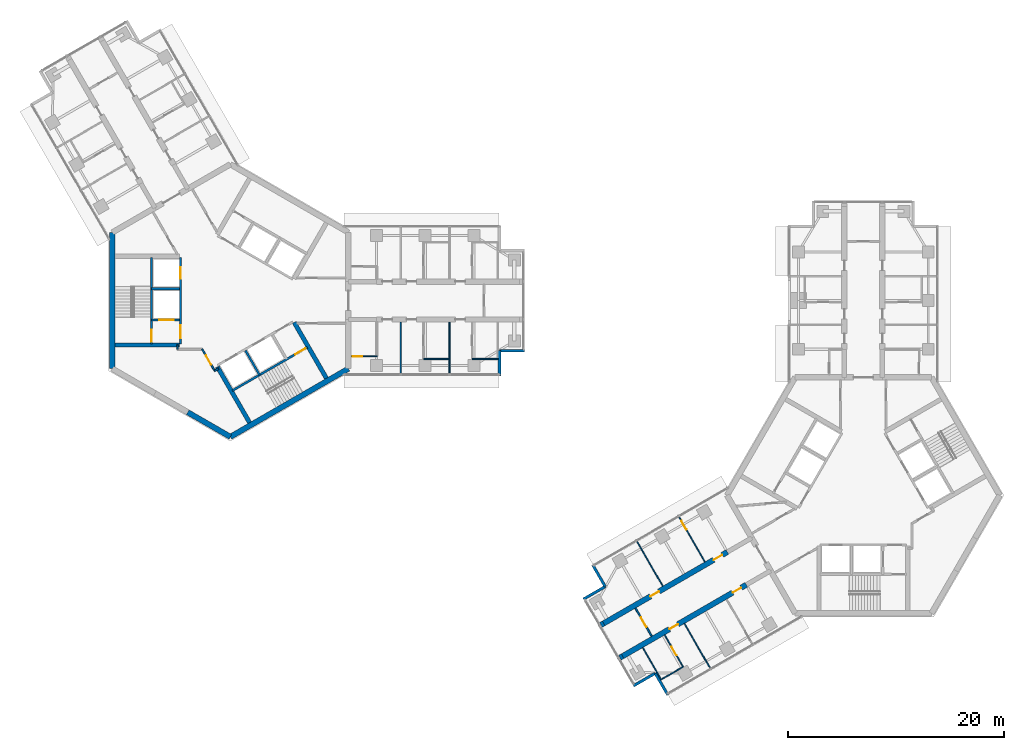
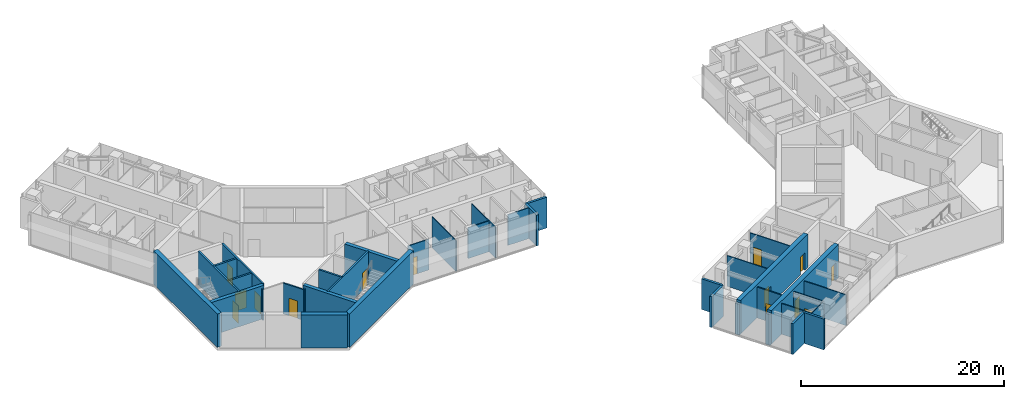
# One storey, part 11 of 17: 37 walls, 14 doors, 14 openings.
"""IFC4 building model written with IfcOpenShell, lengths in metres."""

from ifc_helpers import new_model, si_unit, direction, frame, frame_2d, origin, place, context, subcontext, project, spatial, rectangle, extrude, material, layer, layer_set, type_object, element, fill, save


model = new_model("IFC4")

# Units and contexts
model_context = context("Model", 3, precision=1e-05, world=origin(), true_north=direction((0.0, 1.0)))
body_context = subcontext(model_context, "Body", "Model", "MODEL_VIEW")
ifc_project = project(units=[si_unit("LENGTHUNIT", "METRE"), si_unit("AREAUNIT", "SQUARE_METRE"), si_unit("VOLUMEUNIT", "CUBIC_METRE"), si_unit("PLANEANGLEUNIT", "RADIAN"), si_unit("MASSUNIT", "GRAM", prefix="KILO")], contexts=[model_context])

# Site, building, storey
site_placement = place(None, origin())
site = spatial("IfcSite", under=ifc_project, at=site_placement, CompositionType="ELEMENT")
building_placement = place(site_placement, origin())
building = spatial("IfcBuilding", under=site, at=building_placement, Name="Upepo Twin Towers", CompositionType="ELEMENT")
storey_placement = place(building_placement, frame((0.0, 0.0, 234.5)))
storey = spatial("IfcBuildingStorey", under=building, at=storey_placement, Name="L57", CompositionType="ELEMENT", Elevation=234.5)

# Walls
ifc_material_1 = material(Name="Dense concrete blockwork", Category="masonry")
ifc_layer_1 = layer(ifc_material_1, 0.5)
ifc_layer_set_1 = layer_set([ifc_layer_1], Name="Buttress closer 500, blockwork with fire-stopping to the curtain wall")
wall_type_1 = type_object("IfcWallType", Name="Buttress closer 500, blockwork with fire-stopping to the curtain wall", PredefinedType="PARTITIONING", material=ifc_layer_set_1)
for number, where, z_axis, x_axis, name in (
    (1, (36.252197265625, -32.865478515625, 0.0), (0.0, 0.0, 1.0), (-0.86598763626, -0.500065409566, 0.0), "T2 L57 wing B buttress closer L"),
    (2, (34.502197265625, -29.83447265625, 0.0), (0.0, 0.0, 1.0), (-0.86598763626, -0.500065409566, 0.0), "T2 L57 wing B buttress closer R"),
):
    element("IfcWall", number, at=place(storey_placement, frame(where, z_axis=z_axis, x_axis=x_axis)), inside=storey, type_object=wall_type_1, Name=name, PredefinedType="PARTITIONING", context=body_context, shape_type="SweptSolid", body=[
        extrude(rectangle(XDim=0.28759765625, YDim=0.5, at=frame_2d((0.143798828125, 0.0))), origin(), (0.0, 0.0, 1.0), 3.699951171875),
    ])

# Wall, openings, doors
ifc_material_2 = material(Name="Concrete C60/75", Category="concrete")
ifc_layer_2 = layer(ifc_material_2, 0.5)
ifc_layer_set_2 = layer_set([ifc_layer_2], Name="Concrete C60/75")
wall_type_2 = type_object("IfcWallType", Name="Buttress wall 500 RC", PredefinedType="SHEAR", material=ifc_layer_set_2)
wall_1_placement = place(storey_placement, frame((47.68359375, -26.265625, 0.0), z_axis=(0.0, 0.0, 1.0), x_axis=(-0.866027579429, -0.499996231654, 0.0)))
wall_1 = element("IfcWall", 3, at=wall_1_placement, inside=storey, type_object=wall_type_2, Name="T2 wing B buttress wall L part 2", PredefinedType="SHEAR", context=body_context, shape_type="SweptSolid", body=[
    extrude(rectangle(XDim=13.19970703125, YDim=0.5, at=frame_2d((6.599853515625, 0.0))), origin(), (0.0, 0.0, 1.0), 4.0),
])
opening_1_placement = place(wall_1_placement, frame((0.550048828125, 0.0, 0.0)))
opening_1 = element("IfcOpeningElement", 4, at=opening_1_placement, cuts=wall_1, Name="Opening D14", PredefinedType="OPENING", context=body_context, shape_type="SweptSolid", body=[
    extrude(rectangle(XDim=0.89990234375, YDim=2.10009765625, at=frame_2d((0.449951171875, 1.050048828125))), frame((0.0, 0.260009765625, 0.0), z_axis=(0.0, -1.0, 0.0), x_axis=(1.0, 0.0, 0.0)), (0.0, 0.0, 1.0), 0.52001953125),
])
opening_2_placement = place(wall_1_placement, frame((7.300048828125, 0.0, 0.0)))
opening_2 = element("IfcOpeningElement", 5, at=opening_2_placement, cuts=wall_1, Name="Opening D14", PredefinedType="OPENING", context=body_context, shape_type="SweptSolid", body=[
    extrude(rectangle(XDim=0.89990234375, YDim=2.10009765625, at=frame_2d((0.449951171875, 1.050048828125))), frame((0.0, 0.260009765625, 0.0), z_axis=(0.0, -1.0, 0.0), x_axis=(1.0, 0.0, 0.0)), (0.0, 0.0, 1.0), 0.52001953125),
])
ifc_material_3 = material(Name="Timber doorset", Category="wood")
door_type_1 = type_object("IfcDoorType", Name="Office door 900 FD30", OperationType="SINGLE_SWING_LEFT", PredefinedType="DOOR", material=ifc_material_3)
door_1_placement = place(opening_1_placement, origin())
door_1 = element("IfcDoor", 6, at=door_1_placement, inside=storey, type_object=door_type_1, Name="T2 L57 staff office door", OperationType="SINGLE_SWING_LEFT", OverallHeight=2.10009765625, OverallWidth=0.89990234375, PredefinedType="DOOR", context=body_context, shape_type="SweptSolid", body=[
    extrude(rectangle(XDim=0.89990234375, YDim=2.10009765625, at=frame_2d((0.449951171875, 1.050048828125))), frame((0.0, 0.02490234375, 0.0), z_axis=(0.0, -1.0, 0.0), x_axis=(1.0, 0.0, 0.0)), (0.0, 0.0, 1.0), 0.050048828125),
])
fill(opening_1, door_1)
door_2_placement = place(opening_2_placement, origin())
door_2 = element("IfcDoor", 7, at=door_2_placement, inside=storey, type_object=door_type_1, Name="T2 L57 staff office door", OperationType="SINGLE_SWING_RIGHT", OverallHeight=2.10009765625, OverallWidth=0.89990234375, PredefinedType="DOOR", context=body_context, shape_type="SweptSolid", body=[
    extrude(rectangle(XDim=0.89990234375, YDim=2.10009765625, at=frame_2d((0.449951171875, 1.050048828125))), frame((0.0, 0.02490234375, 0.0), z_axis=(0.0, -1.0, 0.0), x_axis=(1.0, 0.0, 0.0)), (0.0, 0.0, 1.0), 0.050048828125),
])
fill(opening_2, door_2)

wall_2_placement = place(storey_placement, frame((45.93359375, -23.234375, 0.0), z_axis=(0.0, 0.0, 1.0), x_axis=(-0.866019570528, -0.500010103361, 0.0)))
wall_2 = element("IfcWall", 8, at=wall_2_placement, inside=storey, type_object=wall_type_2, Name="T2 wing B buttress wall R part 2", PredefinedType="SHEAR", context=body_context, shape_type="SweptSolid", body=[
    extrude(rectangle(XDim=13.199951171875, YDim=0.5, at=frame_2d((6.60009765625, 0.0))), origin(), (0.0, 0.0, 1.0), 4.0),
])
opening_3_placement = place(wall_2_placement, frame((0.550048828125, 0.0, 0.0)))
opening_3 = element("IfcOpeningElement", 9, at=opening_3_placement, cuts=wall_2, Name="Opening D14", PredefinedType="OPENING", context=body_context, shape_type="SweptSolid", body=[
    extrude(rectangle(XDim=0.89990234375, YDim=2.10009765625, at=frame_2d((0.449951171875, 1.050048828125))), frame((0.0, 0.260009765625, 0.0), z_axis=(0.0, -1.0, 0.0), x_axis=(1.0, 0.0, 0.0)), (0.0, 0.0, 1.0), 0.52001953125),
])
opening_4_placement = place(wall_2_placement, frame((7.300048828125, 0.0, 0.0)))
opening_4 = element("IfcOpeningElement", 10, at=opening_4_placement, cuts=wall_2, Name="Opening D14", PredefinedType="OPENING", context=body_context, shape_type="SweptSolid", body=[
    extrude(rectangle(XDim=0.89990234375, YDim=2.10009765625, at=frame_2d((0.449951171875, 1.050048828125))), frame((0.0, 0.260009765625, 0.0), z_axis=(0.0, -1.0, 0.0), x_axis=(1.0, 0.0, 0.0)), (0.0, 0.0, 1.0), 0.52001953125),
])
door_3_placement = place(opening_3_placement, origin())
door_3 = element("IfcDoor", 11, at=door_3_placement, inside=storey, type_object=door_type_1, Name="T2 L57 postgraduate office door", OperationType="SINGLE_SWING_LEFT", OverallHeight=2.10009765625, OverallWidth=0.89990234375, PredefinedType="DOOR", context=body_context, shape_type="SweptSolid", body=[
    extrude(rectangle(XDim=0.89990234375, YDim=2.10009765625, at=frame_2d((0.449951171875, 1.050048828125))), frame((0.0, 0.02490234375, 0.0), z_axis=(0.0, -1.0, 0.0), x_axis=(1.0, 0.0, 0.0)), (0.0, 0.0, 1.0), 0.050048828125),
])
fill(opening_3, door_3)
door_4_placement = place(opening_4_placement, origin())
door_4 = element("IfcDoor", 12, at=door_4_placement, inside=storey, type_object=door_type_1, Name="T2 L57 meeting room door", OperationType="SINGLE_SWING_RIGHT", OverallHeight=2.10009765625, OverallWidth=0.89990234375, PredefinedType="DOOR", context=body_context, shape_type="SweptSolid", body=[
    extrude(rectangle(XDim=0.89990234375, YDim=2.10009765625, at=frame_2d((0.449951171875, 1.050048828125))), frame((0.0, 0.02490234375, 0.0), z_axis=(0.0, -1.0, 0.0), x_axis=(1.0, 0.0, 0.0)), (0.0, 0.0, 1.0), 0.050048828125),
])
fill(opening_4, door_4)

# Walls
ifc_material_4 = material(Name="Concrete C60/75", Category="concrete")
ifc_layer_3 = layer(ifc_material_4, 0.5)
ifc_layer_set_3 = layer_set([ifc_layer_3], Name="Concrete C60/75")
wall_type_3 = type_object("IfcWallType", Name="Core wall 500 RC", PredefinedType="SHEAR", material=ifc_layer_set_3)
wall_3_placement = place(storey_placement, frame((-10.908447265625, 6.2978515625, 0.0), z_axis=(0.0, 0.0, 1.0), x_axis=(0.0, -1.0, 0.0)))
element("IfcWall", 13, at=wall_3_placement, inside=storey, type_object=wall_type_3, Name="T1 core wall 180", PredefinedType="SHEAR", context=body_context, shape_type="SweptSolid", body=[
    extrude(rectangle(XDim=12.595703125, YDim=0.5, at=frame_2d((6.2978515625, 0.0))), origin(), (0.0, 0.0, 1.0), 4.0),
])
wall_4_placement = place(storey_placement, frame((-3.938720703125, -10.32177734375, 0.0), z_axis=(0.0, 0.0, 1.0), x_axis=(0.866011268655, -0.500024481964, 0.0)))
element("IfcWall", 14, at=wall_4_placement, inside=storey, type_object=wall_type_3, Name="T1 core wall 240 L", PredefinedType="SHEAR", context=body_context, shape_type="SweptSolid", body=[
    extrude(rectangle(XDim=4.548095703125, YDim=0.5, at=frame_2d((2.27392578125, 0.0))), origin(), (0.0, 0.0, 1.0), 4.0),
])
wall_5_placement = place(storey_placement, frame((0.0, -12.595947265625, 0.0), z_axis=(0.0, 0.0, 1.0), x_axis=(0.866021940709, 0.500005998175, 0.0)))
element("IfcWall", 15, at=wall_5_placement, inside=storey, type_object=wall_type_3, Name="T1 core wall 300", PredefinedType="SHEAR", context=body_context, shape_type="SweptSolid", body=[
    extrude(rectangle(XDim=12.595947265625, YDim=0.5, at=frame_2d((6.2978515625, 0.0))), origin(), (0.0, 0.0, 1.0), 4.0),
])
ifc_material_5 = material(Name="Blockwork with anodised aluminium cladding", Category="masonry")
ifc_layer_4 = layer(ifc_material_5, 0.25)
ifc_layer_set_4 = layer_set([ifc_layer_4], Name="Notch cladding wall 250, pale metal")
wall_type_4 = type_object("IfcWallType", Name="Notch cladding wall 250, pale metal", PredefinedType="STANDARD", material=ifc_layer_set_4)
for number, where, z_axis, x_axis, name in (
    (16, (24.875, -6.949951171875, 0.0), (0.0, 0.0, 1.0), (0.0, 1.0, 0.0), "T1 L57 wing A notch wall R1"),
    (17, (24.875, -4.625, 0.0), (0.0, 0.0, 1.0), (1.0, 0.0, 0.0), "T1 L57 wing A notch wall R2"),
    (18, (40.4326171875, -36.456298828125, 0.0), (0.0, 0.0, 1.0), (-0.500046648681, 0.865998469481, 0.0), "T2 L57 wing B notch wall L1"),
    (19, (39.27001953125, -34.44287109375, 0.0), (0.0, 0.0, 1.0), (-0.865998469481, -0.500046648681, 0.0), "T2 L57 wing B notch wall L2"),
    (20, (33.482666015625, -24.418701171875, 0.0), (0.0, 0.0, 1.0), (0.499967891604, -0.866043940782, 0.0), "T2 L57 wing B notch wall R1"),
    (21, (34.64501953125, -26.43212890625, 0.0), (0.0, 0.0, 1.0), (-0.865998469481, -0.500046648681, 0.0), "T2 L57 wing B notch wall R2"),
):
    element("IfcWall", number, at=place(storey_placement, frame(where, z_axis=z_axis, x_axis=x_axis)), inside=storey, type_object=wall_type_4, Name=name, PredefinedType="STANDARD", context=body_context, shape_type="SweptSolid", body=[
        extrude(rectangle(XDim=2.324951171875, YDim=0.25, at=frame_2d((1.16259765625, 0.0))), origin(), (0.0, 0.0, 1.0), 3.699951171875),
    ])
ifc_material_6 = material(Name="Gypsum board on steel studs", Category="steel")
ifc_layer_5 = layer(ifc_material_6, 0.10009765625)
ifc_layer_set_5 = layer_set([ifc_layer_5], Name="Office partition 100 stud")
wall_type_5 = type_object("IfcWallType", Name="Office partition 100 stud", PredefinedType="PARTITIONING", material=ifc_layer_set_5)
for number, where, z_axis, x_axis, name in (
    (22, (15.75, -2.0, 0.0), (0.0, 0.0, 1.0), (0.0, -1.0, 0.0), "T1 partition AR at 15.75"),
    (23, (20.25, -2.0, 0.0), (0.0, 0.0, 1.0), (0.0, -1.0, 0.0), "T1 partition AR at 20.25"),
):
    element("IfcWall", number, at=place(storey_placement, frame(where, z_axis=z_axis, x_axis=x_axis)), inside=storey, type_object=wall_type_5, Name=name, PredefinedType="PARTITIONING", context=body_context, shape_type="SweptSolid", body=[
        extrude(rectangle(XDim=4.75, YDim=0.10009765625, at=frame_2d((2.375, 0.0))), origin(), (0.0, 0.0, 1.0), 3.699951171875),
    ])
for number, where, z_axis, x_axis, name in (
    (24, (17.85009765625, -5.39990234375, 0.0), (0.0, 0.0, 1.0), (1.0, 0.0, 0.0), "T1 inner room partition AR at 17.85"),
    (25, (22.35009765625, -5.39990234375, 0.0), (0.0, 0.0, 1.0), (1.0, 0.0, 0.0), "T1 inner room partition AR at 22.35"),
):
    element("IfcWall", number, at=place(storey_placement, frame(where, z_axis=z_axis, x_axis=x_axis)), inside=storey, type_object=wall_type_5, Name=name, PredefinedType="PARTITIONING", context=body_context, shape_type="SweptSolid", body=[
        extrude(rectangle(XDim=2.39990234375, YDim=0.10009765625, at=frame_2d((1.199951171875, 0.0))), origin(), (0.0, 0.0, 1.0), 3.699951171875),
    ])

# Wall, opening, door
wall_6_placement = place(storey_placement, frame((11.157958984375, -5.14990234375, 0.0), z_axis=(0.0, 0.0, 1.0), x_axis=(1.0, 0.0, 0.0)))
wall_6 = element("IfcWall", 26, at=wall_6_placement, inside=storey, type_object=wall_type_5, Name="T1 WC bay partition AR at 11.16", PredefinedType="PARTITIONING", context=body_context, shape_type="SweptSolid", body=[
    extrude(rectangle(XDim=2.400146484375, YDim=0.10009765625, at=frame_2d((1.2001953125, 0.0))), origin(), (0.0, 0.0, 1.0), 3.699951171875),
])
opening_5_placement = place(wall_6_placement, frame((0.14990234375, 0.0, 0.0)))
opening_5 = element("IfcOpeningElement", 27, at=opening_5_placement, cuts=wall_6, Name="Opening D14", PredefinedType="OPENING", context=body_context, shape_type="SweptSolid", body=[
    extrude(rectangle(XDim=0.89990234375, YDim=2.10009765625, at=frame_2d((0.449951171875, 1.050048828125))), frame((0.0, 0.06005859375, 0.0), z_axis=(0.0, -1.0, 0.0), x_axis=(1.0, 0.0, 0.0)), (0.0, 0.0, 1.0), 0.1201171875),
])
door_5_placement = place(opening_5_placement, origin())
door_5 = element("IfcDoor", 28, at=door_5_placement, inside=storey, type_object=door_type_1, Name="T1 L57 WC bay inner room door", OperationType="SINGLE_SWING_LEFT", OverallHeight=2.10009765625, OverallWidth=0.89990234375, PredefinedType="DOOR", context=body_context, shape_type="SweptSolid", body=[
    extrude(rectangle(XDim=0.89990234375, YDim=2.10009765625, at=frame_2d((0.449951171875, 1.050048828125))), frame((0.0, 0.02490234375, 0.0), z_axis=(0.0, -1.0, 0.0), x_axis=(1.0, 0.0, 0.0)), (0.0, 0.0, 1.0), 0.050048828125),
])
fill(opening_5, door_5)

# Walls
wall_7_placement = place(storey_placement, frame((41.962890625, -29.85693359375, 0.0), z_axis=(0.0, 0.0, 1.0), x_axis=(0.499986429846, -0.866033238375, 0.0)))
element("IfcWall", 29, at=wall_7_placement, inside=storey, type_object=wall_type_5, Name="T2 partition BL at 20.25", PredefinedType="PARTITIONING", context=body_context, shape_type="SweptSolid", body=[
    extrude(rectangle(XDim=4.750244140625, YDim=0.10009765625, at=frame_2d((2.375, 0.0))), origin(), (0.0, 0.0, 1.0), 3.699951171875),
])
wall_8_placement = place(storey_placement, frame((41.84423828125, -33.8515625, 0.0), z_axis=(0.0, 0.0, 1.0), x_axis=(-0.866024647952, -0.500001309137, 0.0)))
element("IfcWall", 30, at=wall_8_placement, inside=storey, type_object=wall_type_5, Name="T2 inner room partition BL at 22.35", PredefinedType="PARTITIONING", context=body_context, shape_type="SweptSolid", body=[
    extrude(rectangle(XDim=2.39990234375, YDim=0.10009765625, at=frame_2d((1.199951171875, 0.0))), origin(), (0.0, 0.0, 1.0), 3.699951171875),
])

# Wall, opening, door
wall_9_placement = place(storey_placement, frame((40.144287109375, -30.906982421875, 0.0), z_axis=(0.0, 0.0, 1.0), x_axis=(0.499977295307, -0.866038511948, 0.0)))
wall_9 = element("IfcWall", 31, at=wall_9_placement, inside=storey, type_object=wall_type_5, Name="T2 inner room partition BL end at 22.35", PredefinedType="PARTITIONING", context=body_context, shape_type="SweptSolid", body=[
    extrude(rectangle(XDim=3.400146484375, YDim=0.10009765625, at=frame_2d((1.7001953125, 0.0))), origin(), (0.0, 0.0, 1.0), 3.699951171875),
])
opening_6_placement = place(wall_9_placement, frame((1.25, 0.0, 0.0)))
opening_6 = element("IfcOpeningElement", 32, at=opening_6_placement, cuts=wall_9, Name="Opening D14", PredefinedType="OPENING", context=body_context, shape_type="SweptSolid", body=[
    extrude(rectangle(XDim=0.89990234375, YDim=2.10009765625, at=frame_2d((0.449951171875, 1.050048828125))), frame((0.0, 0.06005859375, 0.0), z_axis=(0.0, -1.0, 0.0), x_axis=(1.0, 0.0, 0.0)), (0.0, 0.0, 1.0), 0.1201171875),
])
door_6_placement = place(opening_6_placement, origin())
door_6 = element("IfcDoor", 33, at=door_6_placement, inside=storey, type_object=door_type_1, Name="T2 L57 inner room door", OperationType="SINGLE_SWING_LEFT", OverallHeight=2.10009765625, OverallWidth=0.89990234375, PredefinedType="DOOR", context=body_context, shape_type="SweptSolid", body=[
    extrude(rectangle(XDim=0.89990234375, YDim=2.10009765625, at=frame_2d((0.449951171875, 1.050048828125))), frame((0.0, 0.02490234375, 0.0), z_axis=(0.0, -1.0, 0.0), x_axis=(1.0, 0.0, 0.0)), (0.0, 0.0, 1.0), 0.050048828125),
])
fill(opening_6, door_6)

# Wall
wall_10_placement = place(storey_placement, frame((38.109130859375, -32.08203125, 0.0), z_axis=(0.0, 0.0, 1.0), x_axis=(0.499977295307, -0.866038511948, 0.0)))
element("IfcWall", 34, at=wall_10_placement, inside=storey, type_object=wall_type_5, Name="T2 inner room partition BL end at 24.75", PredefinedType="PARTITIONING", context=body_context, shape_type="SweptSolid", body=[
    extrude(rectangle(XDim=3.400146484375, YDim=0.10009765625, at=frame_2d((1.7001953125, 0.0))), origin(), (0.0, 0.0, 1.0), 3.699951171875),
])

# Wall, opening, door
wall_11_placement = place(storey_placement, frame((43.860107421875, -24.14306640625, 0.0), z_axis=(0.0, 0.0, 1.0), x_axis=(-0.499986429846, 0.866033238375, 0.0)))
wall_11 = element("IfcWall", 35, at=wall_11_placement, inside=storey, type_object=wall_type_5, Name="T2 partition BR at 15.75", PredefinedType="PARTITIONING", context=body_context, shape_type="SweptSolid", body=[
    extrude(rectangle(XDim=4.750244140625, YDim=0.10009765625, at=frame_2d((2.375, 0.0))), origin(), (0.0, 0.0, 1.0), 3.699951171875),
])
opening_7_placement = place(wall_11_placement, frame((3.449951171875, 0.0, 0.0)))
opening_7 = element("IfcOpeningElement", 36, at=opening_7_placement, cuts=wall_11, Name="Opening D14", PredefinedType="OPENING", context=body_context, shape_type="SweptSolid", body=[
    extrude(rectangle(XDim=0.89990234375, YDim=2.10009765625, at=frame_2d((0.449951171875, 1.050048828125))), frame((0.0, 0.06005859375, 0.0), z_axis=(0.0, -1.0, 0.0), x_axis=(1.0, 0.0, 0.0)), (0.0, 0.0, 1.0), 0.1201171875),
])
door_7_placement = place(opening_7_placement, origin())
door_7 = element("IfcDoor", 37, at=door_7_placement, inside=storey, type_object=door_type_1, Name="T2 L57 connecting door", OperationType="SINGLE_SWING_RIGHT", OverallHeight=2.10009765625, OverallWidth=0.89990234375, PredefinedType="DOOR", context=body_context, shape_type="SweptSolid", body=[
    extrude(rectangle(XDim=0.89990234375, YDim=2.10009765625, at=frame_2d((0.449951171875, 1.050048828125))), frame((0.0, 0.02490234375, 0.0), z_axis=(0.0, -1.0, 0.0), x_axis=(1.0, 0.0, 0.0)), (0.0, 0.0, 1.0), 0.050048828125),
])
fill(opening_7, door_7)

# Wall
wall_12_placement = place(storey_placement, frame((39.962890625, -26.39306640625, 0.0), z_axis=(0.0, 0.0, 1.0), x_axis=(-0.499986429846, 0.866033238375, 0.0)))
element("IfcWall", 38, at=wall_12_placement, inside=storey, type_object=wall_type_5, Name="T2 partition BR at 20.25", PredefinedType="PARTITIONING", context=body_context, shape_type="SweptSolid", body=[
    extrude(rectangle(XDim=4.750244140625, YDim=0.10009765625, at=frame_2d((2.375, 0.0))), origin(), (0.0, 0.0, 1.0), 3.699951171875),
])

# Wall, openings, doors
ifc_material_7 = material(Name="Concrete C40/50", Category="concrete")
ifc_layer_6 = layer(ifc_material_7, 0.199951171875)
ifc_layer_set_6 = layer_set([ifc_layer_6], Name="Concrete C40/50")
wall_type_6 = type_object("IfcWallType", Name="Shaft wall 200 RC", PredefinedType="SHEAR", material=ifc_layer_set_6)
wall_13_placement = place(storey_placement, frame((-4.60009765625, 4.0, 0.0), z_axis=(0.0, 0.0, 1.0), x_axis=(0.0, -1.0, 0.0)))
wall_13 = element("IfcWall", 39, at=wall_13_placement, inside=storey, type_object=wall_type_6, Name="T1 core W180 front wall", PredefinedType="SHEAR", context=body_context, shape_type="SweptSolid", body=[
    extrude(rectangle(XDim=8.0, YDim=0.199951171875, at=frame_2d((4.0, 0.0))), origin(), (0.0, 0.0, 1.0), 4.0),
])
opening_8_placement = place(wall_13_placement, frame((6.300048828125, 0.0, 0.0)))
opening_8 = element("IfcOpeningElement", 40, at=opening_8_placement, cuts=wall_13, Name="Opening D4", PredefinedType="OPENING", context=body_context, shape_type="SweptSolid", body=[
    extrude(rectangle(XDim=1.199951171875, YDim=2.10009765625, at=frame_2d((0.60009765625, 1.050048828125))), frame((0.0, 0.10986328125, 0.0), z_axis=(0.0, -1.0, 0.0), x_axis=(1.0, 0.0, 0.0)), (0.0, 0.0, 1.0), 0.219970703125),
])
opening_9_placement = place(wall_13_placement, frame((0.89990234375, 0.0, 0.0)))
opening_9 = element("IfcOpeningElement", 41, at=opening_9_placement, cuts=wall_13, Name="Opening LD1", PredefinedType="OPENING", context=body_context, shape_type="SweptSolid", body=[
    extrude(rectangle(XDim=1.10009765625, YDim=2.199951171875, at=frame_2d((0.550048828125, 1.10009765625))), frame((0.0, 0.10986328125, 0.0), z_axis=(0.0, -1.0, 0.0), x_axis=(1.0, 0.0, 0.0)), (0.0, 0.0, 1.0), 0.219970703125),
])
ifc_material_8 = material(Name="Steel doorset", Category="steel")
door_type_2 = type_object("IfcDoorType", Name="Lift landing door 1100", OperationType="DOUBLE_DOOR_SLIDING", PredefinedType="DOOR", material=ifc_material_8)
door_8_placement = place(opening_9_placement, origin())
door_8 = element("IfcDoor", 42, at=door_8_placement, inside=storey, type_object=door_type_2, Name="T1 L57 lift SV1 landing door", OperationType="DOUBLE_DOOR_SLIDING", OverallHeight=2.199951171875, OverallWidth=1.10009765625, PredefinedType="DOOR", context=body_context, shape_type="SweptSolid", body=[
    extrude(rectangle(XDim=1.10009765625, YDim=2.199951171875, at=frame_2d((0.550048828125, 1.10009765625))), frame((0.0, 0.02490234375, 0.0), z_axis=(0.0, -1.0, 0.0), x_axis=(1.0, 0.0, 0.0)), (0.0, 0.0, 1.0), 0.050048828125),
])
fill(opening_9, door_8)
ifc_material_9 = material(Name="Timber doorset", Category="wood")
door_type_3 = type_object("IfcDoorType", Name="Lobby door 1200 FD60", OperationType="SINGLE_SWING_LEFT", PredefinedType="DOOR", material=ifc_material_9)
door_9_placement = place(opening_8_placement, origin())
door_9 = element("IfcDoor", 43, at=door_9_placement, inside=storey, type_object=door_type_3, Name="T1 L57 W180 lobby door", OperationType="SINGLE_SWING_RIGHT", OverallHeight=2.10009765625, OverallWidth=1.199951171875, PredefinedType="DOOR", context=body_context, shape_type="SweptSolid", body=[
    extrude(rectangle(XDim=1.199951171875, YDim=2.10009765625, at=frame_2d((0.60009765625, 1.050048828125))), frame((0.0, 0.02490234375, 0.0), z_axis=(0.0, -1.0, 0.0), x_axis=(1.0, 0.0, 0.0)), (0.0, 0.0, 1.0), 0.050048828125),
])
fill(opening_8, door_9)

# Wall
wall_14_placement = place(storey_placement, frame((-4.699951171875, 1.10009765625, 0.0), z_axis=(0.0, 0.0, 1.0), x_axis=(-1.0, 0.0, 0.0)))
element("IfcWall", 44, at=wall_14_placement, inside=storey, type_object=wall_type_6, Name="T1 core W180 shaft divider", PredefinedType="SHEAR", context=body_context, shape_type="SweptSolid", body=[
    extrude(rectangle(XDim=2.60009765625, YDim=0.199951171875, at=frame_2d((1.300048828125, 0.0))), origin(), (0.0, 0.0, 1.0), 4.0),
])

# Wall, opening, door
wall_15_placement = place(storey_placement, frame((-4.699951171875, -1.800048828125, 0.0), z_axis=(0.0, 0.0, 1.0), x_axis=(-1.0, 0.0, 0.0)))
wall_15 = element("IfcWall", 45, at=wall_15_placement, inside=storey, type_object=wall_type_6, Name="T1 core W180 lobby wall", PredefinedType="SHEAR", context=body_context, shape_type="SweptSolid", body=[
    extrude(rectangle(XDim=2.60009765625, YDim=0.199951171875, at=frame_2d((1.300048828125, 0.0))), origin(), (0.0, 0.0, 1.0), 4.0),
])
opening_10_placement = place(wall_15_placement, frame((0.550048828125, 0.0, 0.0)))
opening_10 = element("IfcOpeningElement", 46, at=opening_10_placement, cuts=wall_15, Name="Opening LD2", PredefinedType="OPENING", context=body_context, shape_type="SweptSolid", body=[
    extrude(rectangle(XDim=1.300048828125, YDim=2.199951171875, at=frame_2d((0.64990234375, 1.10009765625))), frame((0.0, 0.10986328125, 0.0), z_axis=(0.0, -1.0, 0.0), x_axis=(1.0, 0.0, 0.0)), (0.0, 0.0, 1.0), 0.219970703125),
])
ifc_material_10 = material(Name="Steel doorset", Category="steel")
door_type_4 = type_object("IfcDoorType", Name="Firefighting lift landing door 1300", OperationType="DOUBLE_DOOR_SLIDING", PredefinedType="DOOR", material=ifc_material_10)
door_10_placement = place(opening_10_placement, origin())
door_10 = element("IfcDoor", 47, at=door_10_placement, inside=storey, type_object=door_type_4, Name="T1 L57 firefighting lift landing door", OperationType="DOUBLE_DOOR_SLIDING", OverallHeight=2.199951171875, OverallWidth=1.300048828125, PredefinedType="DOOR", context=body_context, shape_type="SweptSolid", body=[
    extrude(rectangle(XDim=1.300048828125, YDim=2.199951171875, at=frame_2d((0.64990234375, 1.10009765625))), frame((0.0, 0.02490234375, 0.0), z_axis=(0.0, -1.0, 0.0), x_axis=(1.0, 0.0, 0.0)), (0.0, 0.0, 1.0), 0.050048828125),
])
fill(opening_10, door_10)

wall_16_placement = place(storey_placement, frame((-7.300048828125, 4.0, 0.0), z_axis=(0.0, 0.0, 1.0), x_axis=(0.0, -1.0, 0.0)))
wall_16 = element("IfcWall", 48, at=wall_16_placement, inside=storey, type_object=wall_type_6, Name="T1 core W180 stair wall", PredefinedType="SHEAR", context=body_context, shape_type="SweptSolid", body=[
    extrude(rectangle(XDim=8.0, YDim=0.199951171875, at=frame_2d((4.0, 0.0))), origin(), (0.0, 0.0, 1.0), 4.0),
])
opening_11_placement = place(wall_16_placement, frame((6.699951171875, 0.0, 0.0)))
opening_11 = element("IfcOpeningElement", 49, at=opening_11_placement, cuts=wall_16, Name="Opening D3", PredefinedType="OPENING", context=body_context, shape_type="SweptSolid", body=[
    extrude(rectangle(XDim=1.10009765625, YDim=2.10009765625, at=frame_2d((0.550048828125, 1.050048828125))), frame((0.0, 0.10986328125, 0.0), z_axis=(0.0, -1.0, 0.0), x_axis=(1.0, 0.0, 0.0)), (0.0, 0.0, 1.0), 0.219970703125),
])
ifc_material_11 = material(Name="Timber doorset", Category="wood")
door_type_5 = type_object("IfcDoorType", Name="Stair door 1100 FD60", OperationType="SINGLE_SWING_LEFT", PredefinedType="DOOR", material=ifc_material_11)
door_11_placement = place(opening_11_placement, origin())
door_11 = element("IfcDoor", 50, at=door_11_placement, inside=storey, type_object=door_type_5, Name="T1 L57 stair door", OperationType="SINGLE_SWING_RIGHT", OverallHeight=2.10009765625, OverallWidth=1.10009765625, PredefinedType="DOOR", context=body_context, shape_type="SweptSolid", body=[
    extrude(rectangle(XDim=1.10009765625, YDim=2.10009765625, at=frame_2d((0.550048828125, 1.050048828125))), frame((0.0, 0.02490234375, 0.0), z_axis=(0.0, -1.0, 0.0), x_axis=(1.0, 0.0, 0.0)), (0.0, 0.0, 1.0), 0.050048828125),
])
fill(opening_11, door_11)

# Wall
wall_17_placement = place(storey_placement, frame((1.3974609375, -4.620361328125, 0.0), z_axis=(0.0, 0.0, 1.0), x_axis=(0.499936506574, -0.866062058628, 0.0)))
element("IfcWall", 51, at=wall_17_placement, inside=storey, type_object=wall_type_6, Name="T1 core W300 shaft divider", PredefinedType="SHEAR", context=body_context, shape_type="SweptSolid", body=[
    extrude(rectangle(XDim=2.599853515625, YDim=0.199951171875, at=frame_2d((1.2998046875, 0.0))), origin(), (0.0, 0.0, 1.0), 4.0),
])

# Wall, opening, door
wall_18_placement = place(storey_placement, frame((0.185791015625, -8.322021484375, 0.0), z_axis=(0.0, 0.0, 1.0), x_axis=(0.866026010844, 0.49999894854, 0.0)))
wall_18 = element("IfcWall", 52, at=wall_18_placement, inside=storey, type_object=wall_type_6, Name="T1 core W300 stair wall", PredefinedType="SHEAR", context=body_context, shape_type="SweptSolid", body=[
    extrude(rectangle(XDim=8.0, YDim=0.199951171875, at=frame_2d((4.0, 0.0))), origin(), (0.0, 0.0, 1.0), 4.0),
])
opening_12_placement = place(wall_18_placement, frame((6.699951171875, 0.0, 0.0)))
opening_12 = element("IfcOpeningElement", 53, at=opening_12_placement, cuts=wall_18, Name="Opening D3", PredefinedType="OPENING", context=body_context, shape_type="SweptSolid", body=[
    extrude(rectangle(XDim=1.10009765625, YDim=2.10009765625, at=frame_2d((0.550048828125, 1.050048828125))), frame((0.0, 0.10986328125, 0.0), z_axis=(0.0, -1.0, 0.0), x_axis=(1.0, 0.0, 0.0)), (0.0, 0.0, 1.0), 0.219970703125),
])
door_12_placement = place(opening_12_placement, origin())
door_12 = element("IfcDoor", 54, at=door_12_placement, inside=storey, type_object=door_type_5, Name="T1 L57 stair door", OperationType="SINGLE_SWING_RIGHT", OverallHeight=2.10009765625, OverallWidth=1.10009765625, PredefinedType="DOOR", context=body_context, shape_type="SweptSolid", body=[
    extrude(rectangle(XDim=1.10009765625, YDim=2.10009765625, at=frame_2d((0.550048828125, 1.050048828125))), frame((0.0, 0.02490234375, 0.0), z_axis=(0.0, -1.0, 0.0), x_axis=(1.0, 0.0, 0.0)), (0.0, 0.0, 1.0), 0.050048828125),
])
fill(opening_12, door_12)

# Walls
ifc_material_12 = material(Name="Concrete C40/50", Category="concrete")
ifc_layer_7 = layer(ifc_material_12, 0.39990234375)
ifc_layer_set_7 = layer_set([ifc_layer_7], Name="Concrete C40/50")
wall_type_7 = type_object("IfcWallType", Name="Shaft wall 400 RC", PredefinedType="SHEAR", material=ifc_layer_set_7)
for number, where, z_axis, x_axis, name in (
    (55, (-4.699951171875, -4.10009765625, 0.0), (0.0, 0.0, 1.0), (-1.0, 0.0, 0.0), "T1 core W180 side wall N"),
    (56, (5.900634765625, -2.020263671875, 0.0), (0.0, 0.0, 1.0), (0.500003832394, -0.86602319114, 0.0), "T1 core W300 side wall N"),
):
    element("IfcWall", number, at=place(storey_placement, frame(where, z_axis=z_axis, x_axis=x_axis)), inside=storey, type_object=wall_type_7, Name=name, PredefinedType="SHEAR", context=body_context, shape_type="SweptSolid", body=[
        extrude(rectangle(XDim=5.95849609375, YDim=0.39990234375, at=frame_2d((2.979248046875, 0.0))), origin(), (0.0, 0.0, 1.0), 4.0),
    ])
wall_19_placement = place(storey_placement, frame((-1.20068359375, -6.120361328125, 0.0), z_axis=(0.0, 0.0, 1.0), x_axis=(0.500021575205, -0.866012946976, 0.0)))
element("IfcWall", 57, at=wall_19_placement, inside=storey, type_object=wall_type_7, Name="T1 core W300 side wall S", PredefinedType="SHEAR", context=body_context, shape_type="SweptSolid", body=[
    extrude(rectangle(XDim=5.958251953125, YDim=0.39990234375, at=frame_2d((2.97900390625, 0.0))), origin(), (0.0, 0.0, 1.0), 4.0),
])

# Wall, opening, door
ifc_material_13 = material(Name="Gypsum board on steel studs", Category="steel")
ifc_layer_8 = layer(ifc_material_13, 0.14990234375)
ifc_layer_set_8 = layer_set([ifc_layer_8], Name="Teaching partition 150 acoustic")
wall_type_8 = type_object("IfcWallType", Name="Teaching partition 150 acoustic", PredefinedType="PARTITIONING", material=ifc_layer_set_8)
wall_20_placement = place(storey_placement, frame((-1.43701171875, -6.5107421875, 0.0), z_axis=(0.0, 0.0, 1.0), x_axis=(-0.500074377092, 0.865982457891, 0.0)))
wall_20 = element("IfcWall", 58, at=wall_20_placement, inside=storey, type_object=wall_type_8, Name="T1 core room partition 1", PredefinedType="PARTITIONING", context=body_context, shape_type="SweptSolid", body=[
    extrude(rectangle(XDim=2.342041015625, YDim=0.14990234375, at=frame_2d((1.1708984375, 0.0))), origin(), (0.0, 0.0, 1.0), 3.699951171875),
])
opening_13_placement = place(wall_20_placement, frame((0.6708984375, 0.0, 0.0)))
opening_13 = element("IfcOpeningElement", 59, at=opening_13_placement, cuts=wall_20, Name="Opening D1", PredefinedType="OPENING", context=body_context, shape_type="SweptSolid", body=[
    extrude(rectangle(XDim=1.0, YDim=2.10009765625, at=frame_2d((0.5, 1.050048828125))), frame((0.0, 0.0849609375, 0.0), z_axis=(0.0, -1.0, 0.0), x_axis=(1.0, 0.0, 0.0)), (0.0, 0.0, 1.0), 0.169921875),
])
ifc_material_14 = material(Name="Timber doorset", Category="wood")
door_type_6 = type_object("IfcDoorType", Name="Room door 1000 FD30", OperationType="SINGLE_SWING_LEFT", PredefinedType="DOOR", material=ifc_material_14)
door_13_placement = place(opening_13_placement, origin())
door_13 = element("IfcDoor", 60, at=door_13_placement, inside=storey, type_object=door_type_6, Name="T1 L57 core room door K1", OperationType="SINGLE_SWING_RIGHT", OverallHeight=2.10009765625, OverallWidth=1.0, PredefinedType="DOOR", context=body_context, shape_type="SweptSolid", body=[
    extrude(rectangle(XDim=1.0, YDim=2.10009765625, at=frame_2d((0.5, 1.050048828125))), frame((0.0, 0.02490234375, 0.0), z_axis=(0.0, -1.0, 0.0), x_axis=(1.0, 0.0, 0.0)), (0.0, 0.0, 1.0), 0.050048828125),
])
fill(opening_13, door_13)

# Walls
for number, where, z_axis, x_axis, name in (
    (61, (-4.89990234375, -4.52001953125, 0.0), (0.0, 0.0, 1.0), (0.0, 1.0, 0.0), "T1 core room partition 3"),
    (62, (-1.092041015625, -6.28857421875, 0.0), (0.0, 0.0, 1.0), (-0.866138304741, -0.499804398801, 0.0), "T1 core room partition 8"),
):
    element("IfcWall", number, at=place(storey_placement, frame(where, z_axis=z_axis, x_axis=x_axis)), inside=storey, type_object=wall_type_8, Name=name, PredefinedType="PARTITIONING", context=body_context, shape_type="SweptSolid", body=[
        extrude(rectangle(XDim=0.429931640625, YDim=0.14990234375, at=frame_2d((0.21484375, 0.0))), origin(), (0.0, 0.0, 1.0), 3.699951171875),
    ])

# Wall, opening, door
wall_21_placement = place(storey_placement, frame((37.441650390625, -28.426025390625, 0.0), z_axis=(0.0, 0.0, 1.0), x_axis=(0.50002537861, -0.866010750942, 0.0)))
wall_21 = element("IfcWall", 63, at=wall_21_placement, inside=storey, type_object=wall_type_8, Name="T2 corridor end partition B at 23.45", PredefinedType="PARTITIONING", context=body_context, shape_type="SweptSolid", body=[
    extrude(rectangle(XDim=2.999755859375, YDim=0.14990234375, at=frame_2d((1.5, 0.0))), origin(), (0.0, 0.0, 1.0), 3.699951171875),
])
opening_14_placement = place(wall_21_placement, frame((1.0, 0.0, 0.0)))
opening_14 = element("IfcOpeningElement", 64, at=opening_14_placement, cuts=wall_21, Name="Opening D1", PredefinedType="OPENING", context=body_context, shape_type="SweptSolid", body=[
    extrude(rectangle(XDim=1.0, YDim=2.10009765625, at=frame_2d((0.5, 1.050048828125))), frame((0.0, 0.0849609375, 0.0), z_axis=(0.0, -1.0, 0.0), x_axis=(1.0, 0.0, 0.0)), (0.0, 0.0, 1.0), 0.169921875),
])
door_14_placement = place(opening_14_placement, origin())
door_14 = element("IfcDoor", 65, at=door_14_placement, inside=storey, type_object=door_type_6, Name="T2 L57 breakout study room door", OperationType="SINGLE_SWING_RIGHT", OverallHeight=2.10009765625, OverallWidth=1.0, PredefinedType="DOOR", context=body_context, shape_type="SweptSolid", body=[
    extrude(rectangle(XDim=1.0, YDim=2.10009765625, at=frame_2d((0.5, 1.050048828125))), frame((0.0, 0.02490234375, 0.0), z_axis=(0.0, -1.0, 0.0), x_axis=(1.0, 0.0, 0.0)), (0.0, 0.0, 1.0), 0.050048828125),
])
fill(opening_14, door_14)

save(model, "model.ifc")
